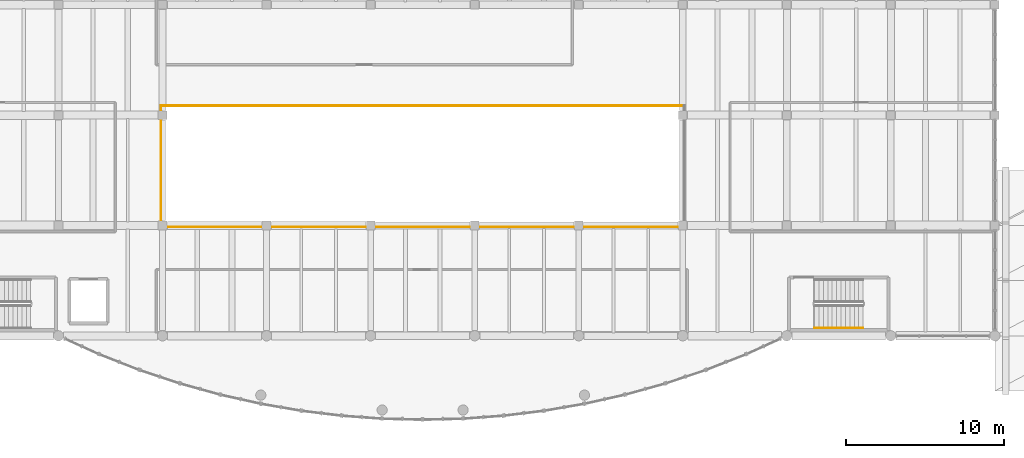
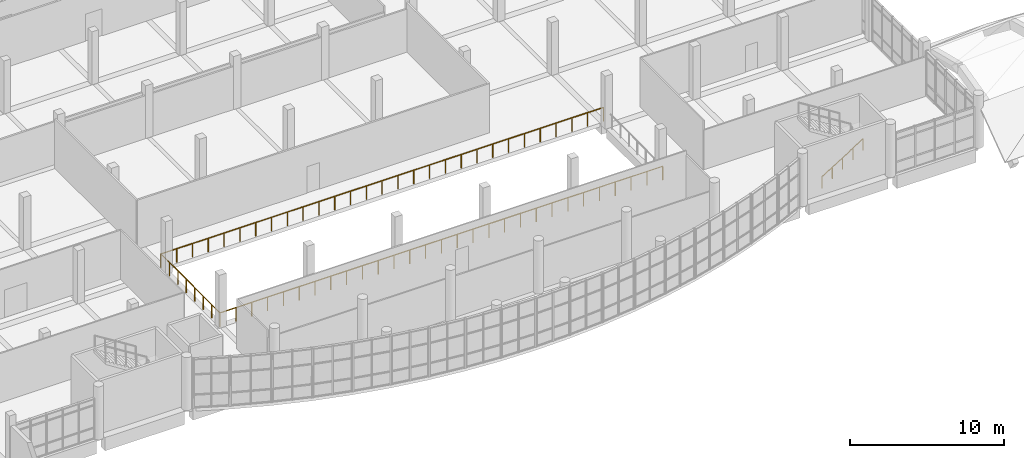
# One storey, part 60 of 65: 4 railings.
"""IFC4 building model written with IfcOpenShell, lengths in metres."""

import ifcopenshell
import ifcopenshell.guid

model = None  # the IFC model being written
_history = None  # IfcOwnerHistory: only IFC2X3 demands one
_inside = {}  # id of a spatial element -> (the spatial element, [elements in it])
_under = {}  # id of a project, library or spatial element -> (it, [spatial elements below it])
_declared = {}  # id of a project -> (the project, [libraries it declares])
_typed = {}  # id of a type object -> (the type object, [elements of that type])
_made_of = {}  # id of a material, layer set ... -> (it, [elements and type objects made of it])


def new_model(schema):
    """Start an empty IFC model of exactly this schema.

    Asked for "IFC4X3", IfcOpenShell would pick the latest addendum, in which some entities
    have other attributes; the version numbers below select the first issue.
    IFC2X3 requires an IfcOwnerHistory on every rooted entity: one is made here for all.
    """
    global model, _history
    if schema == "IFC4X3":
        model = ifcopenshell.file(schema_version=(4, 3, 0, 0))
    else:
        model = ifcopenshell.file(schema=schema)
    _inside.clear()
    _under.clear()
    _declared.clear()
    _typed.clear()
    _made_of.clear()
    _history = None
    if model.schema == "IFC2X3":
        org = make("IfcOrganization", Name="unknown")
        user = make(
            "IfcPersonAndOrganization",
            ThePerson=make("IfcPerson", FamilyName="unknown"),
            TheOrganization=org,
        )
        app = make(
            "IfcApplication",
            ApplicationDeveloper=org,
            Version="unknown",
            ApplicationFullName="unknown",
            ApplicationIdentifier="unknown",
        )
        _history = make(
            "IfcOwnerHistory",
            OwningUser=user,
            OwningApplication=app,
            ChangeAction="ADDED",
            CreationDate=0,
        )
    return model


def make(cls, **values):
    """One entity of the class cls with the attributes given. An attribute that is None is left unset."""
    return model.create_entity(
        cls, **{name: value for name, value in values.items() if value is not None}
    )


def rooted(cls, **values):
    """An entity with a GlobalId (a new one), such as an element, a storey or a relation."""
    return make(cls, GlobalId=ifcopenshell.guid.new(), OwnerHistory=_history, **values)


def si_unit(unit_type, name, prefix=None):
    """IfcSIUnit, for example si_unit("LENGTHUNIT", "METRE", prefix="MILLI")."""
    return make("IfcSIUnit", UnitType=unit_type, Prefix=prefix, Name=name)


def assignment(units):
    """IfcUnitAssignment: the units of a project."""
    return None if units is None else make("IfcUnitAssignment", Units=units)


def point(xyz):
    """IfcCartesianPoint."""
    return None if xyz is None else make("IfcCartesianPoint", Coordinates=xyz)


def direction(xyz):
    """IfcDirection."""
    return None if xyz is None else make("IfcDirection", DirectionRatios=xyz)


def frame(location, z_axis=None, x_axis=None):
    """IfcAxis2Placement3D, a coordinate frame: its origin and axes. An axis left out is left unset."""
    return make(
        "IfcAxis2Placement3D",
        Location=point(location),
        Axis=direction(z_axis),
        RefDirection=direction(x_axis),
    )


def frame_2d(location, x_axis=None):
    """IfcAxis2Placement2D, a coordinate frame in the plane: its origin and x axis."""
    return make(
        "IfcAxis2Placement2D", Location=point(location), RefDirection=direction(x_axis)
    )


def origin():
    """The frame at (0, 0, 0) with its axes left unset."""
    return frame((0.0, 0.0, 0.0))


def origin_2d():
    """The frame at (0, 0) in the plane with its x axis left unset."""
    return frame_2d((0.0, 0.0))


def place(relative_to, where):
    """IfcLocalPlacement: puts the frame where relative to a parent placement (None: the world)."""
    return make(
        "IfcLocalPlacement", PlacementRelTo=relative_to, RelativePlacement=where
    )


def context(
    kind, dimensions, precision=None, world=None, true_north=None, identifier=None
):
    """IfcGeometricRepresentationContext, for example the 3D "Model" context."""
    return make(
        "IfcGeometricRepresentationContext",
        ContextIdentifier=identifier,
        ContextType=kind,
        CoordinateSpaceDimension=dimensions,
        Precision=precision,
        WorldCoordinateSystem=world,
        TrueNorth=true_north,
    )


def subcontext(parent, identifier, kind, view, scale=None):
    """IfcGeometricRepresentationSubContext, for example "Body" below "Model"."""
    return make(
        "IfcGeometricRepresentationSubContext",
        ContextIdentifier=identifier,
        ContextType=kind,
        ParentContext=parent,
        TargetScale=scale,
        TargetView=view,
    )


def project(units=None, contexts=None):
    """IfcProject with its units and contexts."""
    return rooted(
        "IfcProject",
        Name="project",
        RepresentationContexts=contexts,
        UnitsInContext=assignment(units),
    )


def spatial(cls, under=None, at=None, **own):
    """A site, building, storey or space (cls), placed at a placement, below another one or the project."""
    s = rooted(cls, ObjectPlacement=at, **own)
    if under is not None:
        _under.setdefault(under.id(), (under, []))[1].append(s)
    return s


def profile(cls, at=None, kind="AREA", **sizes):
    """A parametric profile (cls). Its sizes go by their IFC names, for example OverallWidth=200.0."""
    return make(cls, ProfileType=kind, Position=at, **sizes)


def circle(**sizes):
    """IfcCircleProfileDef."""
    return profile("IfcCircleProfileDef", **sizes)


def extrude(swept, where, along, depth):
    """IfcExtrudedAreaSolid: the profile swept, set in the frame where, extruded along a direction by depth."""
    return make(
        "IfcExtrudedAreaSolid",
        SweptArea=swept,
        Position=where,
        ExtrudedDirection=direction(along),
        Depth=depth,
    )


def shape(context_of_items, identifier, shape_type, items):
    """IfcShapeRepresentation: the items that make up one representation, for example the "Body"."""
    return make(
        "IfcShapeRepresentation",
        ContextOfItems=context_of_items,
        RepresentationIdentifier=identifier,
        RepresentationType=shape_type,
        Items=items,
    )


def material(Name=None, Category=None):
    """IfcMaterial."""
    return make("IfcMaterial", Name=Name, Category=Category)


def made_of(thing, what):
    """Note that an element or type object is made of a material, layer set ...; save() writes the relation."""
    if what is not None:
        _made_of.setdefault(what.id(), (what, []))[1].append(thing)
    return thing


def type_object(cls, material=None, **own):
    """A type object (cls), such as IfcWallType, which elements share."""
    return made_of(rooted(cls, **own), material)


def element(
    cls,
    number,
    at=None,
    inside=None,
    cuts=None,
    type_object=None,
    material=None,
    context=None,
    identifier="Body",
    shape_type=None,
    held_by="IfcProductDefinitionShape",
    body=None,
    shapes=None,
    **own,
):
    """One element of the class cls, such as IfcWall. Its Tag is "e" and its number.

    at: its placement. inside: the storey or other place that contains it. cuts: it is an
    opening in that element (IfcRelVoidsElement). A single representation is given by context,
    identifier, shape_type and body (its items); several are given by shapes. held_by: the class
    of the entity that holds the representations. save() writes the other relations.
    """
    e = rooted(cls, Tag="e%d" % number, ObjectPlacement=at, **own)
    if body is not None:
        shapes = [shape(context, identifier, shape_type, body)]
    if shapes is not None:
        e.Representation = make(held_by, Representations=shapes)
    if inside is not None:
        _inside.setdefault(inside.id(), (inside, []))[1].append(e)
    if cuts is not None:
        rooted(
            "IfcRelVoidsElement", RelatingBuildingElement=cuts, RelatedOpeningElement=e
        )
    if type_object is not None:
        _typed.setdefault(type_object.id(), (type_object, []))[1].append(e)
    return made_of(e, material)


def aggregate(whole, parts):
    """IfcRelAggregates: a whole, such as a stair, and the parts it consists of."""
    return rooted("IfcRelAggregates", RelatingObject=whole, RelatedObjects=parts)


def save(model, path):
    """Write the relations noted so far, then the file.

    IfcRelAggregates (storeys below a building ...), IfcRelContainedInSpatialStructure (elements
    in a storey), IfcRelDefinesByType, IfcRelAssociatesMaterial and IfcRelDeclares: one each for
    every whole, place, type object, material and project.
    """
    for whole, parts in _under.values():
        aggregate(whole, parts)
    for where, things in _inside.values():
        rooted(
            "IfcRelContainedInSpatialStructure",
            RelatedElements=things,
            RelatingStructure=where,
        )
    for kind, things in _typed.values():
        rooted("IfcRelDefinesByType", RelatedObjects=things, RelatingType=kind)
    for what, things in _made_of.values():
        rooted("IfcRelAssociatesMaterial", RelatedObjects=things, RelatingMaterial=what)
    for by, libraries in _declared.values():
        rooted("IfcRelDeclares", RelatingContext=by, RelatedDefinitions=libraries)
    model.write(path)


model = new_model("IFC4")

# Units and contexts
model_context = context("Model", 3, precision=1e-05, world=origin(), true_north=direction((0.0, 1.0)))
body_context = subcontext(model_context, "Body", "Model", "MODEL_VIEW")
ifc_project = project(units=[si_unit("LENGTHUNIT", "METRE"), si_unit("AREAUNIT", "SQUARE_METRE"), si_unit("VOLUMEUNIT", "CUBIC_METRE"), si_unit("PLANEANGLEUNIT", "RADIAN"), si_unit("MASSUNIT", "GRAM", prefix="KILO")], contexts=[model_context])

# Site, building, storey
site_placement = place(None, origin())
site = spatial("IfcSite", under=ifc_project, at=site_placement, CompositionType="ELEMENT")
building_placement = place(site_placement, origin())
building = spatial("IfcBuilding", under=site, at=building_placement, Name="Ciguamira Faculty of Natural Sciences", CompositionType="ELEMENT")
storey_placement = place(building_placement, frame((0.0, 0.0, 12.60009765625)))
storey = spatial("IfcBuildingStorey", under=building, at=storey_placement, Name="L03", CompositionType="ELEMENT", Elevation=12.60009765625)

# Railings
ifc_material_1 = material(Name="Stainless steel balustrade", Category="steel")
railing_type_1 = type_object("IfcRailingType", Name="Guardrail_GR01", PredefinedType="GUARDRAIL", material=ifc_material_1)
railing_1_placement = place(storey_placement, frame((70.39990234375, 16.89990234375, 0.0)))
element("IfcRailing", 1, at=railing_1_placement, inside=storey, type_object=railing_type_1, Name="L03 atrium void guardrail S", PredefinedType="GUARDRAIL", context=body_context, shape_type="SweptSolid", body=[
    extrude(circle(Radius=0.02392578125, at=origin_2d()), frame((0.0, 0.0, 1.076171875), z_axis=(1.0, 0.0, 0.0), x_axis=(0.0, 1.0, 0.0)), (0.0, 0.0, 1.0), 33.2001953125),
    extrude(circle(Radius=0.02099609375, at=origin_2d()), origin(), (0.0, 0.0, 1.0), 1.052001953125),
    extrude(circle(Radius=0.02099609375, at=origin_2d()), frame((1.185791015625, 0.0, 0.0)), (0.0, 0.0, 1.0), 1.052001953125),
    extrude(circle(Radius=0.02099609375, at=origin_2d()), frame((2.371337890625, 0.0, 0.0)), (0.0, 0.0, 1.0), 1.052001953125),
    extrude(circle(Radius=0.02099609375, at=origin_2d()), frame((3.55712890625, 0.0, 0.0)), (0.0, 0.0, 1.0), 1.052001953125),
    extrude(circle(Radius=0.02099609375, at=origin_2d()), frame((4.742919921875, 0.0, 0.0)), (0.0, 0.0, 1.0), 1.052001953125),
    extrude(circle(Radius=0.02099609375, at=origin_2d()), frame((5.9287109375, 0.0, 0.0)), (0.0, 0.0, 1.0), 1.052001953125),
    extrude(circle(Radius=0.02099609375, at=origin_2d()), frame((7.1142578125, 0.0, 0.0)), (0.0, 0.0, 1.0), 1.052001953125),
    extrude(circle(Radius=0.02099609375, at=origin_2d()), frame((8.300048828125, 0.0, 0.0)), (0.0, 0.0, 1.0), 1.052001953125),
    extrude(circle(Radius=0.02099609375, at=origin_2d()), frame((9.48583984375, 0.0, 0.0)), (0.0, 0.0, 1.0), 1.052001953125),
    extrude(circle(Radius=0.02099609375, at=origin_2d()), frame((10.67138671875, 0.0, 0.0)), (0.0, 0.0, 1.0), 1.052001953125),
    extrude(circle(Radius=0.02099609375, at=origin_2d()), frame((11.857177734375, 0.0, 0.0)), (0.0, 0.0, 1.0), 1.052001953125),
    extrude(circle(Radius=0.02099609375, at=origin_2d()), frame((13.04296875, 0.0, 0.0)), (0.0, 0.0, 1.0), 1.052001953125),
    extrude(circle(Radius=0.02099609375, at=origin_2d()), frame((14.228759765625, 0.0, 0.0)), (0.0, 0.0, 1.0), 1.052001953125),
    extrude(circle(Radius=0.02099609375, at=origin_2d()), frame((15.414306640625, 0.0, 0.0)), (0.0, 0.0, 1.0), 1.052001953125),
    extrude(circle(Radius=0.02099609375, at=origin_2d()), frame((16.60009765625, 0.0, 0.0)), (0.0, 0.0, 1.0), 1.052001953125),
    extrude(circle(Radius=0.02099609375, at=origin_2d()), frame((17.785888671875, 0.0, 0.0)), (0.0, 0.0, 1.0), 1.052001953125),
    extrude(circle(Radius=0.02099609375, at=origin_2d()), frame((18.971435546875, 0.0, 0.0)), (0.0, 0.0, 1.0), 1.052001953125),
    extrude(circle(Radius=0.02099609375, at=origin_2d()), frame((20.1572265625, 0.0, 0.0)), (0.0, 0.0, 1.0), 1.052001953125),
    extrude(circle(Radius=0.02099609375, at=origin_2d()), frame((21.343017578125, 0.0, 0.0)), (0.0, 0.0, 1.0), 1.052001953125),
    extrude(circle(Radius=0.02099609375, at=origin_2d()), frame((22.52880859375, 0.0, 0.0)), (0.0, 0.0, 1.0), 1.052001953125),
    extrude(circle(Radius=0.02099609375, at=origin_2d()), frame((23.71435546875, 0.0, 0.0)), (0.0, 0.0, 1.0), 1.052001953125),
    extrude(circle(Radius=0.02099609375, at=origin_2d()), frame((24.900146484375, 0.0, 0.0)), (0.0, 0.0, 1.0), 1.052001953125),
    extrude(circle(Radius=0.02099609375, at=origin_2d()), frame((26.0859375, 0.0, 0.0)), (0.0, 0.0, 1.0), 1.052001953125),
    extrude(circle(Radius=0.02099609375, at=origin_2d()), frame((27.271484375, 0.0, 0.0)), (0.0, 0.0, 1.0), 1.052001953125),
    extrude(circle(Radius=0.02099609375, at=origin_2d()), frame((28.457275390625, 0.0, 0.0)), (0.0, 0.0, 1.0), 1.052001953125),
    extrude(circle(Radius=0.02099609375, at=origin_2d()), frame((29.64306640625, 0.0, 0.0)), (0.0, 0.0, 1.0), 1.052001953125),
    extrude(circle(Radius=0.02099609375, at=origin_2d()), frame((30.828857421875, 0.0, 0.0)), (0.0, 0.0, 1.0), 1.052001953125),
    extrude(circle(Radius=0.02099609375, at=origin_2d()), frame((32.014404296875, 0.0, 0.0)), (0.0, 0.0, 1.0), 1.052001953125),
    extrude(circle(Radius=0.02099609375, at=origin_2d()), frame((33.2001953125, 0.0, 0.0)), (0.0, 0.0, 1.0), 1.052001953125),
])
railing_2_placement = place(storey_placement, frame((70.39990234375, 24.60009765625, 0.0)))
element("IfcRailing", 2, at=railing_2_placement, inside=storey, type_object=railing_type_1, Name="L03 atrium void guardrail N", PredefinedType="GUARDRAIL", context=body_context, shape_type="SweptSolid", body=[
    extrude(circle(Radius=0.02392578125, at=origin_2d()), frame((0.0, 0.0, 1.076171875), z_axis=(1.0, 0.0, 0.0), x_axis=(0.0, 1.0, 0.0)), (0.0, 0.0, 1.0), 33.2001953125),
    extrude(circle(Radius=0.02099609375, at=origin_2d()), origin(), (0.0, 0.0, 1.0), 1.052001953125),
    extrude(circle(Radius=0.02099609375, at=origin_2d()), frame((1.185791015625, 0.0, 0.0)), (0.0, 0.0, 1.0), 1.052001953125),
    extrude(circle(Radius=0.02099609375, at=origin_2d()), frame((2.371337890625, 0.0, 0.0)), (0.0, 0.0, 1.0), 1.052001953125),
    extrude(circle(Radius=0.02099609375, at=origin_2d()), frame((3.55712890625, 0.0, 0.0)), (0.0, 0.0, 1.0), 1.052001953125),
    extrude(circle(Radius=0.02099609375, at=origin_2d()), frame((4.742919921875, 0.0, 0.0)), (0.0, 0.0, 1.0), 1.052001953125),
    extrude(circle(Radius=0.02099609375, at=origin_2d()), frame((5.9287109375, 0.0, 0.0)), (0.0, 0.0, 1.0), 1.052001953125),
    extrude(circle(Radius=0.02099609375, at=origin_2d()), frame((7.1142578125, 0.0, 0.0)), (0.0, 0.0, 1.0), 1.052001953125),
    extrude(circle(Radius=0.02099609375, at=origin_2d()), frame((8.300048828125, 0.0, 0.0)), (0.0, 0.0, 1.0), 1.052001953125),
    extrude(circle(Radius=0.02099609375, at=origin_2d()), frame((9.48583984375, 0.0, 0.0)), (0.0, 0.0, 1.0), 1.052001953125),
    extrude(circle(Radius=0.02099609375, at=origin_2d()), frame((10.67138671875, 0.0, 0.0)), (0.0, 0.0, 1.0), 1.052001953125),
    extrude(circle(Radius=0.02099609375, at=origin_2d()), frame((11.857177734375, 0.0, 0.0)), (0.0, 0.0, 1.0), 1.052001953125),
    extrude(circle(Radius=0.02099609375, at=origin_2d()), frame((13.04296875, 0.0, 0.0)), (0.0, 0.0, 1.0), 1.052001953125),
    extrude(circle(Radius=0.02099609375, at=origin_2d()), frame((14.228759765625, 0.0, 0.0)), (0.0, 0.0, 1.0), 1.052001953125),
    extrude(circle(Radius=0.02099609375, at=origin_2d()), frame((15.414306640625, 0.0, 0.0)), (0.0, 0.0, 1.0), 1.052001953125),
    extrude(circle(Radius=0.02099609375, at=origin_2d()), frame((16.60009765625, 0.0, 0.0)), (0.0, 0.0, 1.0), 1.052001953125),
    extrude(circle(Radius=0.02099609375, at=origin_2d()), frame((17.785888671875, 0.0, 0.0)), (0.0, 0.0, 1.0), 1.052001953125),
    extrude(circle(Radius=0.02099609375, at=origin_2d()), frame((18.971435546875, 0.0, 0.0)), (0.0, 0.0, 1.0), 1.052001953125),
    extrude(circle(Radius=0.02099609375, at=origin_2d()), frame((20.1572265625, 0.0, 0.0)), (0.0, 0.0, 1.0), 1.052001953125),
    extrude(circle(Radius=0.02099609375, at=origin_2d()), frame((21.343017578125, 0.0, 0.0)), (0.0, 0.0, 1.0), 1.052001953125),
    extrude(circle(Radius=0.02099609375, at=origin_2d()), frame((22.52880859375, 0.0, 0.0)), (0.0, 0.0, 1.0), 1.052001953125),
    extrude(circle(Radius=0.02099609375, at=origin_2d()), frame((23.71435546875, 0.0, 0.0)), (0.0, 0.0, 1.0), 1.052001953125),
    extrude(circle(Radius=0.02099609375, at=origin_2d()), frame((24.900146484375, 0.0, 0.0)), (0.0, 0.0, 1.0), 1.052001953125),
    extrude(circle(Radius=0.02099609375, at=origin_2d()), frame((26.0859375, 0.0, 0.0)), (0.0, 0.0, 1.0), 1.052001953125),
    extrude(circle(Radius=0.02099609375, at=origin_2d()), frame((27.271484375, 0.0, 0.0)), (0.0, 0.0, 1.0), 1.052001953125),
    extrude(circle(Radius=0.02099609375, at=origin_2d()), frame((28.457275390625, 0.0, 0.0)), (0.0, 0.0, 1.0), 1.052001953125),
    extrude(circle(Radius=0.02099609375, at=origin_2d()), frame((29.64306640625, 0.0, 0.0)), (0.0, 0.0, 1.0), 1.052001953125),
    extrude(circle(Radius=0.02099609375, at=origin_2d()), frame((30.828857421875, 0.0, 0.0)), (0.0, 0.0, 1.0), 1.052001953125),
    extrude(circle(Radius=0.02099609375, at=origin_2d()), frame((32.014404296875, 0.0, 0.0)), (0.0, 0.0, 1.0), 1.052001953125),
    extrude(circle(Radius=0.02099609375, at=origin_2d()), frame((33.2001953125, 0.0, 0.0)), (0.0, 0.0, 1.0), 1.052001953125),
])
railing_3_placement = place(storey_placement, frame((70.39990234375, 16.89990234375, 0.0)))
element("IfcRailing", 3, at=railing_3_placement, inside=storey, type_object=railing_type_1, Name="L03 atrium void guardrail W", PredefinedType="GUARDRAIL", context=body_context, shape_type="SweptSolid", body=[
    extrude(circle(Radius=0.02392578125, at=origin_2d()), frame((0.0, 0.0, 1.076171875), z_axis=(0.0, 1.0, 0.0), x_axis=(-1.0, 0.0, 0.0)), (0.0, 0.0, 1.0), 7.7001953125),
    extrude(circle(Radius=0.02099609375, at=origin_2d()), origin(), (0.0, 0.0, 1.0), 1.052001953125),
    extrude(circle(Radius=0.02099609375, at=origin_2d()), frame((0.0, 1.10009765625, 0.0)), (0.0, 0.0, 1.0), 1.052001953125),
    extrude(circle(Radius=0.02099609375, at=origin_2d()), frame((0.0, 2.199951171875, 0.0)), (0.0, 0.0, 1.0), 1.052001953125),
    extrude(circle(Radius=0.02099609375, at=origin_2d()), frame((0.0, 3.300048828125, 0.0)), (0.0, 0.0, 1.0), 1.052001953125),
    extrude(circle(Radius=0.02099609375, at=origin_2d()), frame((0.0, 4.400146484375, 0.0)), (0.0, 0.0, 1.0), 1.052001953125),
    extrude(circle(Radius=0.02099609375, at=origin_2d()), frame((0.0, 5.500244140625, 0.0)), (0.0, 0.0, 1.0), 1.052001953125),
    extrude(circle(Radius=0.02099609375, at=origin_2d()), frame((0.0, 6.60009765625, 0.0)), (0.0, 0.0, 1.0), 1.052001953125),
    extrude(circle(Radius=0.02099609375, at=origin_2d()), frame((0.0, 7.7001953125, 0.0)), (0.0, 0.0, 1.0), 1.052001953125),
])
ifc_material_2 = material(Name="Stainless steel handrail", Category="steel")
railing_type_2 = type_object("IfcRailingType", Name="Handrail_HR01", PredefinedType="HANDRAIL", material=ifc_material_2)
railing_4_placement = place(storey_placement, frame((111.860107421875, 10.5, 0.349853515625)))
element("IfcRailing", 4, at=railing_4_placement, inside=storey, type_object=railing_type_2, Name="L03 ST-A2 stair handrail 1", PredefinedType="HANDRAIL", context=body_context, shape_type="SweptSolid", body=[
    extrude(circle(Radius=0.02392578125, at=origin_2d()), frame((0.0, 0.0, 0.89111328125), z_axis=(0.847979421464, 0.0, 0.530029150871), x_axis=(0.0, 1.0, 0.0)), (0.0, 0.0, 1.0), 3.632080078125),
    extrude(circle(Radius=0.02099609375, at=origin_2d()), origin(), (0.0, 0.0, 1.0), 0.866943359375),
    extrude(circle(Radius=0.02099609375, at=origin_2d()), frame((0.77001953125, 0.0, 0.481201171875)), (0.0, 0.0, 1.0), 0.866943359375),
    extrude(circle(Radius=0.02099609375, at=origin_2d()), frame((1.5400390625, 0.0, 0.96240234375)), (0.0, 0.0, 1.0), 0.866943359375),
    extrude(circle(Radius=0.02099609375, at=origin_2d()), frame((2.309814453125, 0.0, 1.44384765625)), (0.0, 0.0, 1.0), 0.866943359375),
    extrude(circle(Radius=0.02099609375, at=origin_2d()), frame((3.079833984375, 0.0, 1.925048828125)), (0.0, 0.0, 1.0), 0.866943359375),
])

save(model, "model.ifc")
